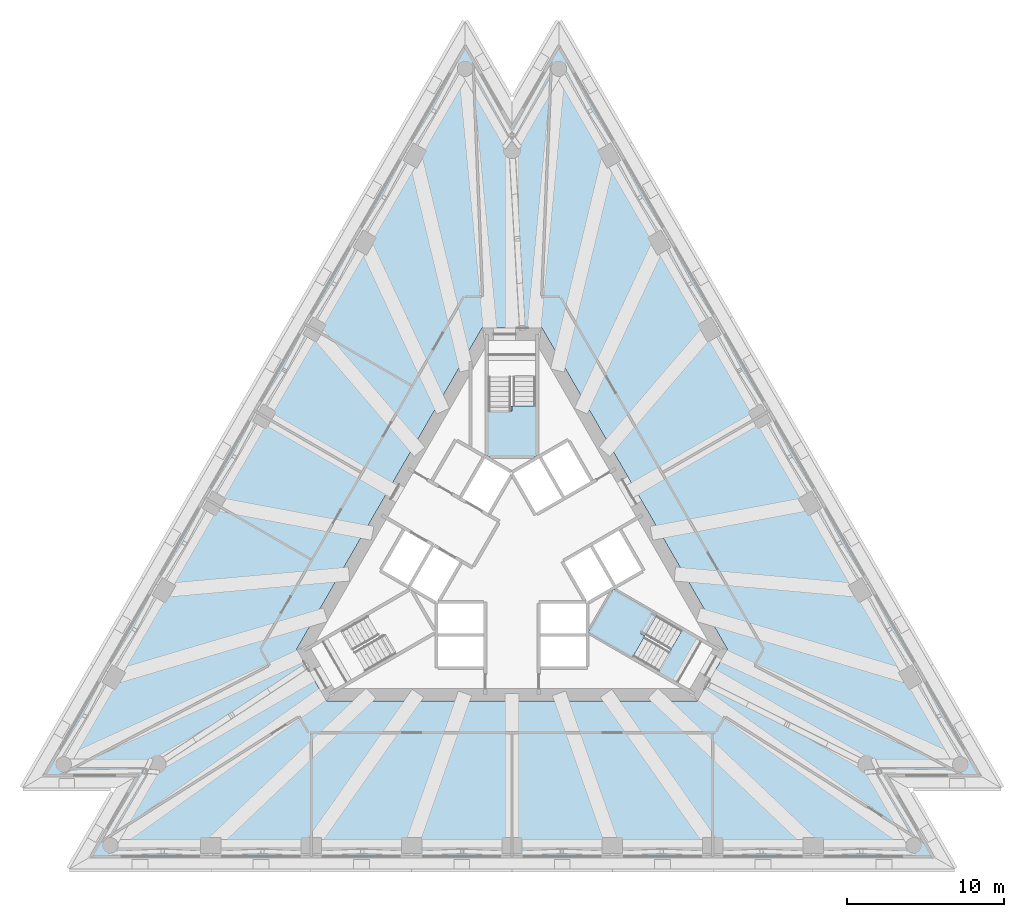
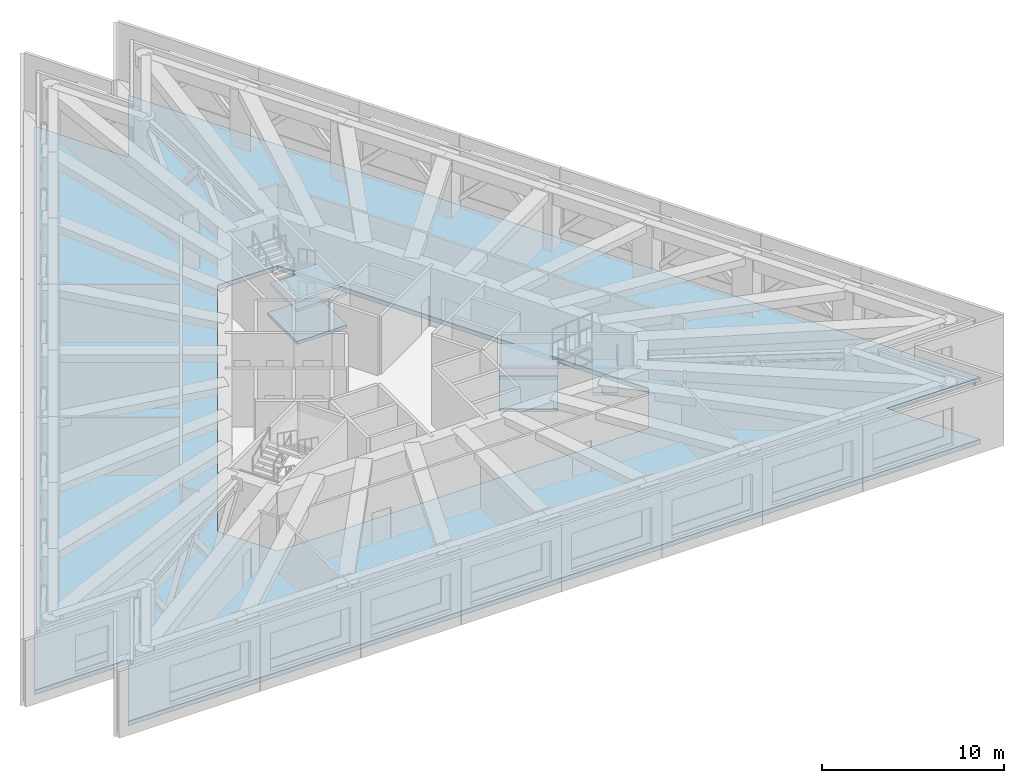
# One storey, part 5 of 13: 6 slabs, 2 elements without a shape of their own.
"""IFC4 building model written with IfcOpenShell, lengths in metres."""

from ifc_helpers import new_model, si_unit, direction, frame, origin, place, context, subcontext, project, spatial, polyline, outline, extrude, material, layer, layer_set, type_object, element, aggregate, save


model = new_model("IFC4")

# Units and contexts
model_context = context("Model", 3, precision=1e-05, world=origin(), true_north=direction((0.0, 1.0)))
body_context = subcontext(model_context, "Body", "Model", "MODEL_VIEW")
ifc_project = project(units=[si_unit("LENGTHUNIT", "METRE"), si_unit("AREAUNIT", "SQUARE_METRE"), si_unit("VOLUMEUNIT", "CUBIC_METRE"), si_unit("PLANEANGLEUNIT", "RADIAN"), si_unit("MASSUNIT", "GRAM", prefix="KILO")], contexts=[model_context])

# Site, building, storey
site_placement = place(None, origin())
site = spatial("IfcSite", under=ifc_project, at=site_placement, CompositionType="ELEMENT")
building_placement = place(site_placement, origin())
building = spatial("IfcBuilding", under=site, at=building_placement, Name="Triada Interchange Tower", CompositionType="ELEMENT")
storey_placement = place(building_placement, frame((0.0, 0.0, 176.300048828125)))
storey = spatial("IfcBuildingStorey", under=building, at=storey_placement, Name="L41", CompositionType="ELEMENT", Elevation=176.300048828125)

# Slab
ifc_material_1 = material(Name="Concrete C50/60", Category="concrete")
ifc_layer_1 = layer(ifc_material_1, 0.300048828125)
ifc_layer_set_1 = layer_set([ifc_layer_1], Name="Floor slab 300")
slab_type_1 = type_object("IfcSlabType", Name="Floor slab 300", PredefinedType="FLOOR", material=ifc_layer_set_1)
slab_1_placement = place(storey_placement, frame((0.0, 0.0, -0.300048828125)))
element("IfcSlab", 1, at=slab_1_placement, inside=storey, type_object=slab_type_1, Name="Floor slab L41", PredefinedType="FLOOR", context=body_context, shape_type="SweptSolid", body=[
    extrude(outline(polyline([(-2.970947265625, 32.97607421875), (-30.04296875, -13.9150390625), (-24.10107421875, -13.9150390625), (-27.072021484375, -19.06103515625), (27.072021484375, -19.06103515625), (24.10107421875, -13.9150390625), (30.04296875, -13.9150390625), (2.970947265625, 32.97607421875), (0.0, 27.8291015625), (-2.970947265625, 32.97607421875)]), holes=[polyline([(1.905029296875, 14.699951171875), (-1.905029296875, 14.699951171875), (-13.68310546875, -5.699951171875), (-11.778076171875, -9.0), (11.778076171875, -9.0), (13.68310546875, -5.699951171875), (1.905029296875, 14.699951171875)])]), origin(), (0.0, 0.0, 1.0), 0.300048828125),
])

# Stair, slabs
ifc_material_2 = material(Name="Concrete C35/45", Category="concrete")
stair_type = type_object("IfcStairType", Name="HALF TURN STAIR 1400", PredefinedType="HALF_TURN_STAIR", material=ifc_material_2)
stair_1_placement = place(storey_placement, origin())
stair_1 = element("IfcStair", 2, at=stair_1_placement, inside=storey, type_object=stair_type, Name="Exit stair S41-1", PredefinedType="HALF_TURN_STAIR")
ifc_layer_2 = layer(ifc_material_2, 0.199951171875)
ifc_layer_set_2 = layer_set([ifc_layer_2], Name="STAIR LANDING 200")
slab_type_2 = type_object("IfcSlabType", Name="STAIR LANDING 200", PredefinedType="LANDING", material=ifc_layer_set_2)
slab_2_placement = place(storey_placement, frame((0.0, 0.0, 0.88623046875)))
slab_2 = element("IfcSlab", 3, at=slab_2_placement, type_object=slab_type_2, Name="S41-1 landing 1", PredefinedType="LANDING", context=body_context, shape_type="SweptSolid", body=[
    extrude(outline(polyline([(1.60009765625, 6.5), (1.60009765625, 9.739990234375), (-1.60009765625, 9.739990234375), (-1.60009765625, 6.5), (1.60009765625, 6.5)])), origin(), (0.0, 0.0, 1.0), 0.199951171875),
])
slab_3_placement = place(storey_placement, frame((0.0, 0.0, 3.05859375)))
slab_3 = element("IfcSlab", 4, at=slab_3_placement, type_object=slab_type_2, Name="S41-1 landing 2", PredefinedType="LANDING", context=body_context, shape_type="SweptSolid", body=[
    extrude(outline(polyline([(1.60009765625, 6.5), (1.60009765625, 9.739990234375), (0.0, 9.739990234375), (0.0, 9.429931640625), (-1.60009765625, 9.429931640625), (-1.60009765625, 6.5), (1.60009765625, 6.5)])), origin(), (0.0, 0.0, 1.0), 0.199951171875),
])
aggregate(stair_1, [slab_2, slab_3])

stair_2_placement = place(storey_placement, origin())
stair_2 = element("IfcStair", 5, at=stair_2_placement, inside=storey, type_object=stair_type, Name="Exit stair S41-3", PredefinedType="HALF_TURN_STAIR")
slab_4_placement = place(storey_placement, frame((0.0, 0.0, 0.88623046875)))
slab_4 = element("IfcSlab", 6, at=slab_4_placement, type_object=slab_type_2, Name="S41-3 landing 1", PredefinedType="LANDING", context=body_context, shape_type="SweptSolid", body=[
    extrude(outline(polyline([(4.8291015625, -4.635986328125), (7.635009765625, -6.256103515625), (9.235107421875, -3.48388671875), (6.428955078125, -1.864013671875), (4.8291015625, -4.635986328125)])), origin(), (0.0, 0.0, 1.0), 0.199951171875),
])
slab_5_placement = place(storey_placement, frame((0.0, 0.0, 3.05859375)))
slab_5 = element("IfcSlab", 7, at=slab_5_placement, type_object=slab_type_2, Name="S41-3 landing 2", PredefinedType="LANDING", context=body_context, shape_type="SweptSolid", body=[
    extrude(outline(polyline([(4.8291015625, -4.635986328125), (7.635009765625, -6.256103515625), (8.43505859375, -4.8701171875), (8.1669921875, -4.715087890625), (8.967041015625, -3.3291015625), (6.428955078125, -1.864013671875), (4.8291015625, -4.635986328125)])), origin(), (0.0, 0.0, 1.0), 0.199951171875),
])
slab_6_placement = place(storey_placement, frame((0.0, 0.0, 1.972412109375)))
slab_6 = element("IfcSlab", 8, at=slab_6_placement, type_object=slab_type_2, Name="S41-3 landing 3", PredefinedType="LANDING", context=body_context, shape_type="SweptSolid", body=[
    extrude(outline(polyline([(9.24609375, -7.18603515625), (10.4580078125, -7.885986328125), (12.05810546875, -5.114013671875), (10.845947265625, -4.4140625), (9.24609375, -7.18603515625)])), origin(), (0.0, 0.0, 1.0), 0.199951171875),
])
aggregate(stair_2, [slab_4, slab_5, slab_6])

save(model, "model.ifc")
